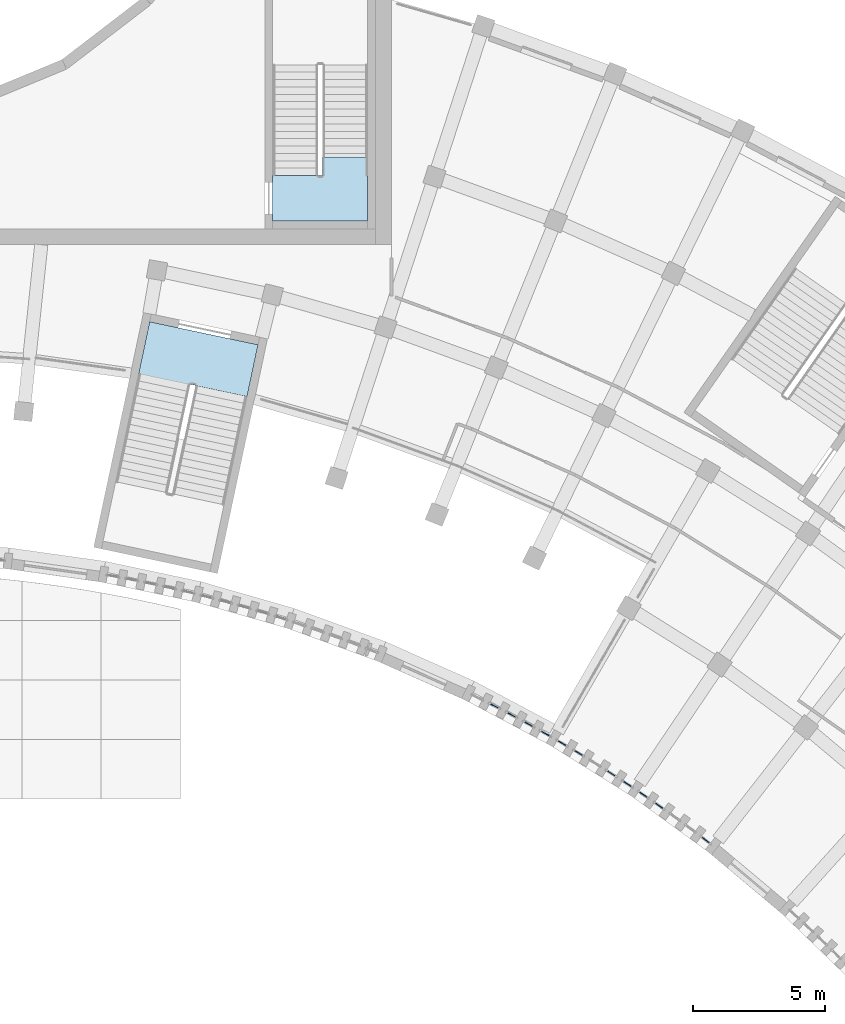
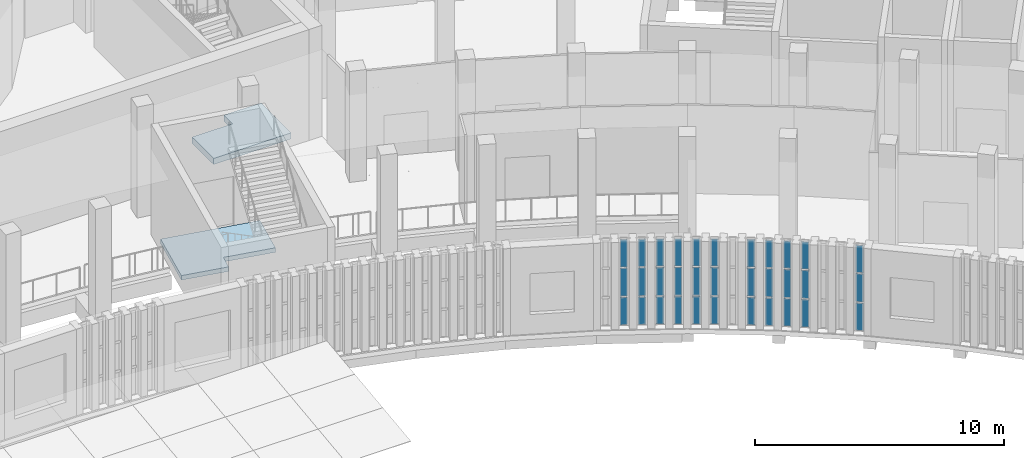
# One storey, part 47 of 112: 33 plates, 2 slabs, 11 elements without a shape of their own.
"""IFC4 building model written with IfcOpenShell, lengths in metres."""

from ifc_helpers import new_model, si_unit, direction, frame, origin, origin_2d, place, context, subcontext, project, spatial, polyline, rectangle, outline, extrude, material, layer, layer_set, type_object, element, aggregate, save


model = new_model("IFC4")

# Units and contexts
model_context = context("Model", 3, precision=1e-05, world=origin(), true_north=direction((0.0, 1.0)))
body_context = subcontext(model_context, "Body", "Model", "MODEL_VIEW")
ifc_project = project(units=[si_unit("LENGTHUNIT", "METRE"), si_unit("AREAUNIT", "SQUARE_METRE"), si_unit("VOLUMEUNIT", "CUBIC_METRE"), si_unit("PLANEANGLEUNIT", "RADIAN"), si_unit("MASSUNIT", "GRAM", prefix="KILO")], contexts=[model_context])

# Site, building, storey
site_placement = place(None, origin())
site = spatial("IfcSite", under=ifc_project, at=site_placement, CompositionType="ELEMENT")
building_placement = place(site_placement, origin())
building = spatial("IfcBuilding", under=site, at=building_placement, Name="Lunette Opera House", CompositionType="ELEMENT")
storey_placement = place(building_placement, frame((0.0, 0.0, 6.0)))
storey = spatial("IfcBuildingStorey", under=building, at=storey_placement, Name="L01", CompositionType="ELEMENT", Elevation=6.0)

# Slabs
ifc_material_1 = material(Name="Concrete C35/45", Category="concrete")
ifc_layer_1 = layer(ifc_material_1, 0.219970703125)
ifc_layer_set_1 = layer_set([ifc_layer_1], Name="Concrete C35/45")
slab_type_1 = type_object("IfcSlabType", Name="CORE LANDING SLAB 220", PredefinedType="LANDING", material=ifc_layer_set_1)
slab_1_placement = place(storey_placement, frame((0.0, 0.0, -0.219970703125)))
element("IfcSlab", 1, at=slab_1_placement, inside=storey, type_object=slab_type_1, Name="GS2 floor landing", PredefinedType="LANDING", context=body_context, shape_type="SweptSolid", body=[
    extrude(outline(polyline([(110.944091796875, 60.208984375), (110.52587890625, 58.242919921875), (108.570068359375, 58.658935546875), (108.572021484375, 58.6689453125), (108.376953125, 58.7099609375), (108.23095703125, 58.02490234375), (106.27490234375, 58.44091796875), (106.8359375, 61.08203125), (110.944091796875, 60.208984375)])), origin(), (0.0, 0.0, 1.0), 0.219970703125),
])
ifc_material_2 = material(Name="Concrete C35/45", Category="concrete")
ifc_layer_2 = layer(ifc_material_2, 0.300048828125)
ifc_layer_set_2 = layer_set([ifc_layer_2], Name="Concrete C35/45")
slab_type_2 = type_object("IfcSlabType", Name="CORE LANDING SLAB 300", PredefinedType="LANDING", material=ifc_layer_set_2)
slab_2_placement = place(storey_placement, frame((0.0, 0.0, -0.300048828125)))
element("IfcSlab", 2, at=slab_2_placement, inside=storey, type_object=slab_type_2, Name="ST8 floor landing", PredefinedType="LANDING", context=body_context, shape_type="SweptSolid", body=[
    extrude(outline(polyline([(111.5, 64.89990234375), (111.5, 66.6298828125), (113.219970703125, 66.6298828125), (113.219970703125, 66.6201171875), (113.3798828125, 66.6201171875), (113.3798828125, 67.320068359375), (115.10009765625, 67.320068359375), (115.10009765625, 64.89990234375), (111.5, 64.89990234375)])), origin(), (0.0, 0.0, 1.0), 0.300048828125),
])

# Curtain wall, plates
ifc_material_3 = material(Name="Aluminium", Category="aluminium")
ifc_layer_3 = layer(ifc_material_3, 0.1201171875)
ifc_layer_set_3 = layer_set([ifc_layer_3], Name="Aluminium")
curtain_wall_type = type_object("IfcCurtainWallType", Name="SLOT CURTAIN WALL", PredefinedType="NOTDEFINED", material=ifc_layer_set_3)
curtain_wall_1_placement = place(storey_placement, origin())
curtain_wall_1 = element("IfcCurtainWall", 3, at=curtain_wall_1_placement, inside=storey, type_object=curtain_wall_type, Name="Slot Curtain Wall CS062 L01", PredefinedType="NOTDEFINED")
ifc_material_4 = material(Name="Laminated glass", Category="glass")
ifc_layer_4 = layer(ifc_material_4, 0.028076171875)
ifc_layer_set_4 = layer_set([ifc_layer_4], Name="Laminated glass")
plate_type = type_object("IfcPlateType", Name="CURTAIN PANEL LAMINATED GLASS 28", PredefinedType="CURTAIN_PANEL", material=ifc_layer_set_4)
plate_1_placement = place(storey_placement, frame((119.906005859375, 46.51611328125, 0.06005859375), z_axis=(0.0, 0.0, 1.0), x_axis=(0.889720446935, -0.45650577905, 0.0)))
plate_1 = element("IfcPlate", 4, at=plate_1_placement, type_object=plate_type, Name="FC-X2124 panel 1.1", PredefinedType="CURTAIN_PANEL", context=body_context, shape_type="SweptSolid", body=[
    extrude(rectangle(XDim=0.309326171875, YDim=0.028076171875, at=origin_2d()), origin(), (0.0, 0.0, 1.0), 1.343017578125),
])
plate_2_placement = place(storey_placement, frame((119.906005859375, 46.51611328125, 1.462890625), z_axis=(0.0, 0.0, 1.0), x_axis=(0.889720446935, -0.45650577905, 0.0)))
plate_2 = element("IfcPlate", 5, at=plate_2_placement, type_object=plate_type, Name="FC-X2124 panel 1.2", PredefinedType="CURTAIN_PANEL", context=body_context, shape_type="SweptSolid", body=[
    extrude(rectangle(XDim=0.309326171875, YDim=0.028076171875, at=origin_2d()), origin(), (0.0, 0.0, 1.0), 1.3740234375),
])
plate_3_placement = place(storey_placement, frame((119.906005859375, 46.51611328125, 2.89697265625), z_axis=(0.0, 0.0, 1.0), x_axis=(0.889720446935, -0.45650577905, 0.0)))
plate_3 = element("IfcPlate", 6, at=plate_3_placement, type_object=plate_type, Name="FC-X2124 panel 1.3", PredefinedType="CURTAIN_PANEL", context=body_context, shape_type="SweptSolid", body=[
    extrude(rectangle(XDim=0.309326171875, YDim=0.028076171875, at=origin_2d()), origin(), (0.0, 0.0, 1.0), 1.343017578125),
])
aggregate(curtain_wall_1, [plate_1, plate_2, plate_3])

curtain_wall_2_placement = place(storey_placement, origin())
curtain_wall_2 = element("IfcCurtainWall", 7, at=curtain_wall_2_placement, inside=storey, type_object=curtain_wall_type, Name="Slot Curtain Wall CS063 L01", PredefinedType="NOTDEFINED")
plate_4_placement = place(storey_placement, frame((120.552978515625, 46.177978515625, 0.06005859375), z_axis=(0.0, 0.0, 1.0), x_axis=(0.882995347914, -0.469381737569, 0.0)))
plate_4 = element("IfcPlate", 8, at=plate_4_placement, type_object=plate_type, Name="FC-X2126 panel 1.1", PredefinedType="CURTAIN_PANEL", context=body_context, shape_type="SweptSolid", body=[
    extrude(rectangle(XDim=0.310302734375, YDim=0.028076171875, at=origin_2d()), origin(), (0.0, 0.0, 1.0), 1.343017578125),
])
plate_5_placement = place(storey_placement, frame((120.552978515625, 46.177978515625, 1.462890625), z_axis=(0.0, 0.0, 1.0), x_axis=(0.882995347914, -0.469381737569, 0.0)))
plate_5 = element("IfcPlate", 9, at=plate_5_placement, type_object=plate_type, Name="FC-X2126 panel 1.2", PredefinedType="CURTAIN_PANEL", context=body_context, shape_type="SweptSolid", body=[
    extrude(rectangle(XDim=0.310302734375, YDim=0.028076171875, at=origin_2d()), origin(), (0.0, 0.0, 1.0), 1.3740234375),
])
plate_6_placement = place(storey_placement, frame((120.552978515625, 46.177978515625, 2.89697265625), z_axis=(0.0, 0.0, 1.0), x_axis=(0.882995347914, -0.469381737569, 0.0)))
plate_6 = element("IfcPlate", 10, at=plate_6_placement, type_object=plate_type, Name="FC-X2126 panel 1.3", PredefinedType="CURTAIN_PANEL", context=body_context, shape_type="SweptSolid", body=[
    extrude(rectangle(XDim=0.310302734375, YDim=0.028076171875, at=origin_2d()), origin(), (0.0, 0.0, 1.0), 1.343017578125),
])
aggregate(curtain_wall_2, [plate_4, plate_5, plate_6])

curtain_wall_3_placement = place(storey_placement, origin())
curtain_wall_3 = element("IfcCurtainWall", 11, at=curtain_wall_3_placement, inside=storey, type_object=curtain_wall_type, Name="Slot Curtain Wall CS064 L01", PredefinedType="NOTDEFINED")
plate_7_placement = place(storey_placement, frame((121.195556640625, 45.83056640625, 0.06005859375), z_axis=(0.0, 0.0, 1.0), x_axis=(0.876559317425, -0.481293842715, 0.0)))
plate_7 = element("IfcPlate", 12, at=plate_7_placement, type_object=plate_type, Name="FC-X2128 panel 1.1", PredefinedType="CURTAIN_PANEL", context=body_context, shape_type="SweptSolid", body=[
    extrude(rectangle(XDim=0.31005859375, YDim=0.028076171875, at=origin_2d()), origin(), (0.0, 0.0, 1.0), 1.343017578125),
])
plate_8_placement = place(storey_placement, frame((121.195556640625, 45.83056640625, 1.462890625), z_axis=(0.0, 0.0, 1.0), x_axis=(0.876559317425, -0.481293842715, 0.0)))
plate_8 = element("IfcPlate", 13, at=plate_8_placement, type_object=plate_type, Name="FC-X2128 panel 1.2", PredefinedType="CURTAIN_PANEL", context=body_context, shape_type="SweptSolid", body=[
    extrude(rectangle(XDim=0.31005859375, YDim=0.028076171875, at=origin_2d()), origin(), (0.0, 0.0, 1.0), 1.3740234375),
])
plate_9_placement = place(storey_placement, frame((121.195556640625, 45.83056640625, 2.89697265625), z_axis=(0.0, 0.0, 1.0), x_axis=(0.876559317425, -0.481293842715, 0.0)))
plate_9 = element("IfcPlate", 14, at=plate_9_placement, type_object=plate_type, Name="FC-X2128 panel 1.3", PredefinedType="CURTAIN_PANEL", context=body_context, shape_type="SweptSolid", body=[
    extrude(rectangle(XDim=0.31005859375, YDim=0.028076171875, at=origin_2d()), origin(), (0.0, 0.0, 1.0), 1.343017578125),
])
aggregate(curtain_wall_3, [plate_7, plate_8, plate_9])

curtain_wall_4_placement = place(storey_placement, origin())
curtain_wall_4 = element("IfcCurtainWall", 15, at=curtain_wall_4_placement, inside=storey, type_object=curtain_wall_type, Name="Slot Curtain Wall CS065 L01", PredefinedType="NOTDEFINED")
plate_10_placement = place(storey_placement, frame((121.8330078125, 45.47412109375, 0.06005859375), z_axis=(0.0, 0.0, 1.0), x_axis=(0.869955662474, -0.493129947711, 0.0)))
plate_10 = element("IfcPlate", 16, at=plate_10_placement, type_object=plate_type, Name="FC-X2130 panel 1.1", PredefinedType="CURTAIN_PANEL", context=body_context, shape_type="SweptSolid", body=[
    extrude(rectangle(XDim=0.309814453125, YDim=0.028076171875, at=origin_2d()), origin(), (0.0, 0.0, 1.0), 1.343017578125),
])
plate_11_placement = place(storey_placement, frame((121.8330078125, 45.47412109375, 1.462890625), z_axis=(0.0, 0.0, 1.0), x_axis=(0.869955662474, -0.493129947711, 0.0)))
plate_11 = element("IfcPlate", 17, at=plate_11_placement, type_object=plate_type, Name="FC-X2130 panel 1.2", PredefinedType="CURTAIN_PANEL", context=body_context, shape_type="SweptSolid", body=[
    extrude(rectangle(XDim=0.309814453125, YDim=0.028076171875, at=origin_2d()), origin(), (0.0, 0.0, 1.0), 1.3740234375),
])
plate_12_placement = place(storey_placement, frame((121.8330078125, 45.47412109375, 2.89697265625), z_axis=(0.0, 0.0, 1.0), x_axis=(0.869955662474, -0.493129947711, 0.0)))
plate_12 = element("IfcPlate", 18, at=plate_12_placement, type_object=plate_type, Name="FC-X2130 panel 1.3", PredefinedType="CURTAIN_PANEL", context=body_context, shape_type="SweptSolid", body=[
    extrude(rectangle(XDim=0.309814453125, YDim=0.028076171875, at=origin_2d()), origin(), (0.0, 0.0, 1.0), 1.343017578125),
])
aggregate(curtain_wall_4, [plate_10, plate_11, plate_12])

curtain_wall_5_placement = place(storey_placement, origin())
curtain_wall_5 = element("IfcCurtainWall", 19, at=curtain_wall_5_placement, inside=storey, type_object=curtain_wall_type, Name="Slot Curtain Wall CS066 L01", PredefinedType="NOTDEFINED")
plate_13_placement = place(storey_placement, frame((122.465576171875, 45.10888671875, 0.06005859375), z_axis=(0.0, 0.0, 1.0), x_axis=(0.862173082583, -0.506613832884, 0.0)))
plate_13 = element("IfcPlate", 20, at=plate_13_placement, type_object=plate_type, Name="FC-X2132 panel 1.1", PredefinedType="CURTAIN_PANEL", context=body_context, shape_type="SweptSolid", body=[
    extrude(rectangle(XDim=0.310302734375, YDim=0.028076171875, at=origin_2d()), origin(), (0.0, 0.0, 1.0), 1.343017578125),
])
plate_14_placement = place(storey_placement, frame((122.465576171875, 45.10888671875, 1.462890625), z_axis=(0.0, 0.0, 1.0), x_axis=(0.862173082583, -0.506613832884, 0.0)))
plate_14 = element("IfcPlate", 21, at=plate_14_placement, type_object=plate_type, Name="FC-X2132 panel 1.2", PredefinedType="CURTAIN_PANEL", context=body_context, shape_type="SweptSolid", body=[
    extrude(rectangle(XDim=0.310302734375, YDim=0.028076171875, at=origin_2d()), origin(), (0.0, 0.0, 1.0), 1.3740234375),
])
plate_15_placement = place(storey_placement, frame((122.465576171875, 45.10888671875, 2.89697265625), z_axis=(0.0, 0.0, 1.0), x_axis=(0.862173082583, -0.506613832884, 0.0)))
plate_15 = element("IfcPlate", 22, at=plate_15_placement, type_object=plate_type, Name="FC-X2132 panel 1.3", PredefinedType="CURTAIN_PANEL", context=body_context, shape_type="SweptSolid", body=[
    extrude(rectangle(XDim=0.310302734375, YDim=0.028076171875, at=origin_2d()), origin(), (0.0, 0.0, 1.0), 1.343017578125),
])
aggregate(curtain_wall_5, [plate_13, plate_14, plate_15])

curtain_wall_6_placement = place(storey_placement, origin())
curtain_wall_6 = element("IfcCurtainWall", 23, at=curtain_wall_6_placement, inside=storey, type_object=curtain_wall_type, Name="Slot Curtain Wall CS067 L01", PredefinedType="NOTDEFINED")
plate_16_placement = place(storey_placement, frame((123.093017578125, 44.735595703125, 0.06005859375), z_axis=(0.0, 0.0, 1.0), x_axis=(0.855229045475, -0.518250209625, 0.0)))
plate_16 = element("IfcPlate", 24, at=plate_16_placement, type_object=plate_type, Name="FC-X2134 panel 1.1", PredefinedType="CURTAIN_PANEL", context=body_context, shape_type="SweptSolid", body=[
    extrude(rectangle(XDim=0.310302734375, YDim=0.028076171875, at=origin_2d()), origin(), (0.0, 0.0, 1.0), 1.343017578125),
])
plate_17_placement = place(storey_placement, frame((123.093017578125, 44.735595703125, 1.462890625), z_axis=(0.0, 0.0, 1.0), x_axis=(0.855229045475, -0.518250209625, 0.0)))
plate_17 = element("IfcPlate", 25, at=plate_17_placement, type_object=plate_type, Name="FC-X2134 panel 1.2", PredefinedType="CURTAIN_PANEL", context=body_context, shape_type="SweptSolid", body=[
    extrude(rectangle(XDim=0.310302734375, YDim=0.028076171875, at=origin_2d()), origin(), (0.0, 0.0, 1.0), 1.3740234375),
])
plate_18_placement = place(storey_placement, frame((123.093017578125, 44.735595703125, 2.89697265625), z_axis=(0.0, 0.0, 1.0), x_axis=(0.855229045475, -0.518250209625, 0.0)))
plate_18 = element("IfcPlate", 26, at=plate_18_placement, type_object=plate_type, Name="FC-X2134 panel 1.3", PredefinedType="CURTAIN_PANEL", context=body_context, shape_type="SweptSolid", body=[
    extrude(rectangle(XDim=0.310302734375, YDim=0.028076171875, at=origin_2d()), origin(), (0.0, 0.0, 1.0), 1.343017578125),
])
aggregate(curtain_wall_6, [plate_16, plate_17, plate_18])

curtain_wall_7_placement = place(storey_placement, origin())
curtain_wall_7 = element("IfcCurtainWall", 27, at=curtain_wall_7_placement, inside=storey, type_object=curtain_wall_type, Name="Slot Curtain Wall CS069 L01", PredefinedType="NOTDEFINED")
plate_19_placement = place(storey_placement, frame((124.3310546875, 43.96142578125, 0.06005859375), z_axis=(0.0, 0.0, 1.0), x_axis=(0.840876455946, -0.541227111143, 0.0)))
plate_19 = element("IfcPlate", 28, at=plate_19_placement, type_object=plate_type, Name="FC-X2138 panel 1.1", PredefinedType="CURTAIN_PANEL", context=body_context, shape_type="SweptSolid", body=[
    extrude(rectangle(XDim=0.310546875, YDim=0.028076171875, at=origin_2d()), origin(), (0.0, 0.0, 1.0), 1.343017578125),
])
plate_20_placement = place(storey_placement, frame((124.3310546875, 43.96142578125, 1.462890625), z_axis=(0.0, 0.0, 1.0), x_axis=(0.840876455946, -0.541227111143, 0.0)))
plate_20 = element("IfcPlate", 29, at=plate_20_placement, type_object=plate_type, Name="FC-X2138 panel 1.2", PredefinedType="CURTAIN_PANEL", context=body_context, shape_type="SweptSolid", body=[
    extrude(rectangle(XDim=0.310546875, YDim=0.028076171875, at=origin_2d()), origin(), (0.0, 0.0, 1.0), 1.3740234375),
])
plate_21_placement = place(storey_placement, frame((124.3310546875, 43.96142578125, 2.89697265625), z_axis=(0.0, 0.0, 1.0), x_axis=(0.840876455946, -0.541227111143, 0.0)))
plate_21 = element("IfcPlate", 30, at=plate_21_placement, type_object=plate_type, Name="FC-X2138 panel 1.3", PredefinedType="CURTAIN_PANEL", context=body_context, shape_type="SweptSolid", body=[
    extrude(rectangle(XDim=0.310546875, YDim=0.028076171875, at=origin_2d()), origin(), (0.0, 0.0, 1.0), 1.343017578125),
])
aggregate(curtain_wall_7, [plate_19, plate_20, plate_21])

curtain_wall_8_placement = place(storey_placement, origin())
curtain_wall_8 = element("IfcCurtainWall", 31, at=curtain_wall_8_placement, inside=storey, type_object=curtain_wall_type, Name="Slot Curtain Wall CS070 L01", PredefinedType="NOTDEFINED")
plate_22_placement = place(storey_placement, frame((124.94189453125, 43.56103515625, 0.06005859375), z_axis=(0.0, 0.0, 1.0), x_axis=(0.832765343277, -0.553626122068, 0.0)))
plate_22 = element("IfcPlate", 32, at=plate_22_placement, type_object=plate_type, Name="FC-X2140 panel 1.1", PredefinedType="CURTAIN_PANEL", context=body_context, shape_type="SweptSolid", body=[
    extrude(rectangle(XDim=0.309814453125, YDim=0.028076171875, at=origin_2d()), origin(), (0.0, 0.0, 1.0), 1.343017578125),
])
plate_23_placement = place(storey_placement, frame((124.94189453125, 43.56103515625, 1.462890625), z_axis=(0.0, 0.0, 1.0), x_axis=(0.832765343277, -0.553626122068, 0.0)))
plate_23 = element("IfcPlate", 33, at=plate_23_placement, type_object=plate_type, Name="FC-X2140 panel 1.2", PredefinedType="CURTAIN_PANEL", context=body_context, shape_type="SweptSolid", body=[
    extrude(rectangle(XDim=0.309814453125, YDim=0.028076171875, at=origin_2d()), origin(), (0.0, 0.0, 1.0), 1.3740234375),
])
plate_24_placement = place(storey_placement, frame((124.94189453125, 43.56103515625, 2.89697265625), z_axis=(0.0, 0.0, 1.0), x_axis=(0.832765343277, -0.553626122068, 0.0)))
plate_24 = element("IfcPlate", 34, at=plate_24_placement, type_object=plate_type, Name="FC-X2140 panel 1.3", PredefinedType="CURTAIN_PANEL", context=body_context, shape_type="SweptSolid", body=[
    extrude(rectangle(XDim=0.309814453125, YDim=0.028076171875, at=origin_2d()), origin(), (0.0, 0.0, 1.0), 1.343017578125),
])
aggregate(curtain_wall_8, [plate_22, plate_23, plate_24])

curtain_wall_9_placement = place(storey_placement, origin())
curtain_wall_9 = element("IfcCurtainWall", 35, at=curtain_wall_9_placement, inside=storey, type_object=curtain_wall_type, Name="Slot Curtain Wall CS071 L01", PredefinedType="NOTDEFINED")
plate_25_placement = place(storey_placement, frame((125.547607421875, 43.153564453125, 0.06005859375), z_axis=(0.0, 0.0, 1.0), x_axis=(0.825193212937, -0.56485056548, 0.0)))
plate_25 = element("IfcPlate", 36, at=plate_25_placement, type_object=plate_type, Name="FC-X2142 panel 1.1", PredefinedType="CURTAIN_PANEL", context=body_context, shape_type="SweptSolid", body=[
    extrude(rectangle(XDim=0.310302734375, YDim=0.028076171875, at=origin_2d()), origin(), (0.0, 0.0, 1.0), 1.343017578125),
])
plate_26_placement = place(storey_placement, frame((125.547607421875, 43.153564453125, 1.462890625), z_axis=(0.0, 0.0, 1.0), x_axis=(0.825193212937, -0.56485056548, 0.0)))
plate_26 = element("IfcPlate", 37, at=plate_26_placement, type_object=plate_type, Name="FC-X2142 panel 1.2", PredefinedType="CURTAIN_PANEL", context=body_context, shape_type="SweptSolid", body=[
    extrude(rectangle(XDim=0.310302734375, YDim=0.028076171875, at=origin_2d()), origin(), (0.0, 0.0, 1.0), 1.3740234375),
])
plate_27_placement = place(storey_placement, frame((125.547607421875, 43.153564453125, 2.89697265625), z_axis=(0.0, 0.0, 1.0), x_axis=(0.825193212937, -0.56485056548, 0.0)))
plate_27 = element("IfcPlate", 38, at=plate_27_placement, type_object=plate_type, Name="FC-X2142 panel 1.3", PredefinedType="CURTAIN_PANEL", context=body_context, shape_type="SweptSolid", body=[
    extrude(rectangle(XDim=0.310302734375, YDim=0.028076171875, at=origin_2d()), origin(), (0.0, 0.0, 1.0), 1.343017578125),
])
aggregate(curtain_wall_9, [plate_25, plate_26, plate_27])

curtain_wall_10_placement = place(storey_placement, origin())
curtain_wall_10 = element("IfcCurtainWall", 39, at=curtain_wall_10_placement, inside=storey, type_object=curtain_wall_type, Name="Slot Curtain Wall CS072 L01", PredefinedType="NOTDEFINED")
plate_28_placement = place(storey_placement, frame((126.14697265625, 42.736083984375, 0.06005859375), z_axis=(0.0, 0.0, 1.0), x_axis=(0.817482433129, -0.575953532436, 0.0)))
plate_28 = element("IfcPlate", 40, at=plate_28_placement, type_object=plate_type, Name="FC-X2144 panel 1.1", PredefinedType="CURTAIN_PANEL", context=body_context, shape_type="SweptSolid", body=[
    extrude(rectangle(XDim=0.310546875, YDim=0.028076171875, at=origin_2d()), origin(), (0.0, 0.0, 1.0), 1.343017578125),
])
plate_29_placement = place(storey_placement, frame((126.14697265625, 42.736083984375, 1.462890625), z_axis=(0.0, 0.0, 1.0), x_axis=(0.817482433129, -0.575953532436, 0.0)))
plate_29 = element("IfcPlate", 41, at=plate_29_placement, type_object=plate_type, Name="FC-X2144 panel 1.2", PredefinedType="CURTAIN_PANEL", context=body_context, shape_type="SweptSolid", body=[
    extrude(rectangle(XDim=0.310546875, YDim=0.028076171875, at=origin_2d()), origin(), (0.0, 0.0, 1.0), 1.3740234375),
])
plate_30_placement = place(storey_placement, frame((126.14697265625, 42.736083984375, 2.89697265625), z_axis=(0.0, 0.0, 1.0), x_axis=(0.817482433129, -0.575953532436, 0.0)))
plate_30 = element("IfcPlate", 42, at=plate_30_placement, type_object=plate_type, Name="FC-X2144 panel 1.3", PredefinedType="CURTAIN_PANEL", context=body_context, shape_type="SweptSolid", body=[
    extrude(rectangle(XDim=0.310546875, YDim=0.028076171875, at=origin_2d()), origin(), (0.0, 0.0, 1.0), 1.343017578125),
])
aggregate(curtain_wall_10, [plate_28, plate_29, plate_30])

curtain_wall_11_placement = place(storey_placement, origin())
curtain_wall_11 = element("IfcCurtainWall", 43, at=curtain_wall_11_placement, inside=storey, type_object=curtain_wall_type, Name="Slot Curtain Wall CS075 L01", PredefinedType="NOTDEFINED")
plate_31_placement = place(storey_placement, frame((127.910400390625, 41.4365234375, 0.06005859375), z_axis=(0.0, 0.0, 1.0), x_axis=(0.791846424704, -0.610720263036, 0.0)))
plate_31 = element("IfcPlate", 44, at=plate_31_placement, type_object=plate_type, Name="FC-X2150 panel 1.1", PredefinedType="CURTAIN_PANEL", context=body_context, shape_type="SweptSolid", body=[
    extrude(rectangle(XDim=0.310546875, YDim=0.028076171875, at=origin_2d()), origin(), (0.0, 0.0, 1.0), 1.343017578125),
])
plate_32_placement = place(storey_placement, frame((127.910400390625, 41.4365234375, 1.462890625), z_axis=(0.0, 0.0, 1.0), x_axis=(0.791846424704, -0.610720263036, 0.0)))
plate_32 = element("IfcPlate", 45, at=plate_32_placement, type_object=plate_type, Name="FC-X2150 panel 1.2", PredefinedType="CURTAIN_PANEL", context=body_context, shape_type="SweptSolid", body=[
    extrude(rectangle(XDim=0.310546875, YDim=0.028076171875, at=origin_2d()), origin(), (0.0, 0.0, 1.0), 1.3740234375),
])
plate_33_placement = place(storey_placement, frame((127.910400390625, 41.4365234375, 2.89697265625), z_axis=(0.0, 0.0, 1.0), x_axis=(0.791846424704, -0.610720263036, 0.0)))
plate_33 = element("IfcPlate", 46, at=plate_33_placement, type_object=plate_type, Name="FC-X2150 panel 1.3", PredefinedType="CURTAIN_PANEL", context=body_context, shape_type="SweptSolid", body=[
    extrude(rectangle(XDim=0.310546875, YDim=0.028076171875, at=origin_2d()), origin(), (0.0, 0.0, 1.0), 1.343017578125),
])
aggregate(curtain_wall_11, [plate_31, plate_32, plate_33])

save(model, "model.ifc")
